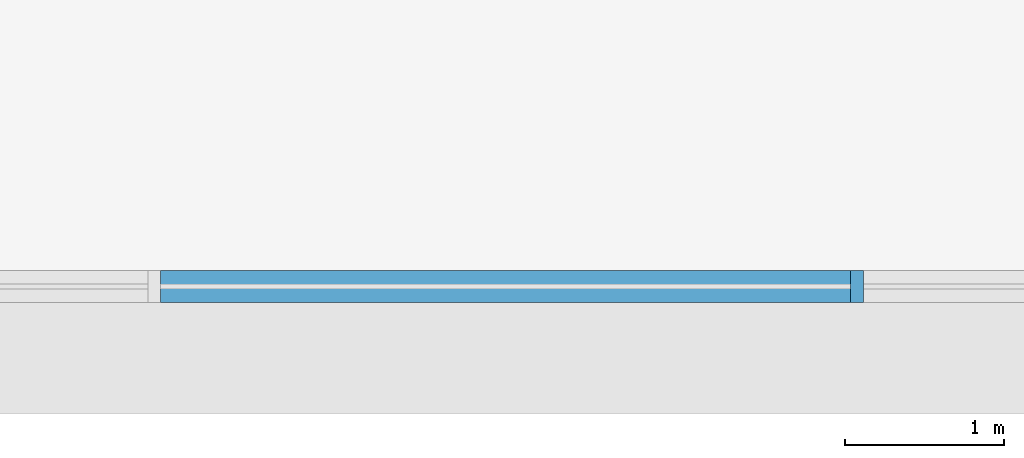
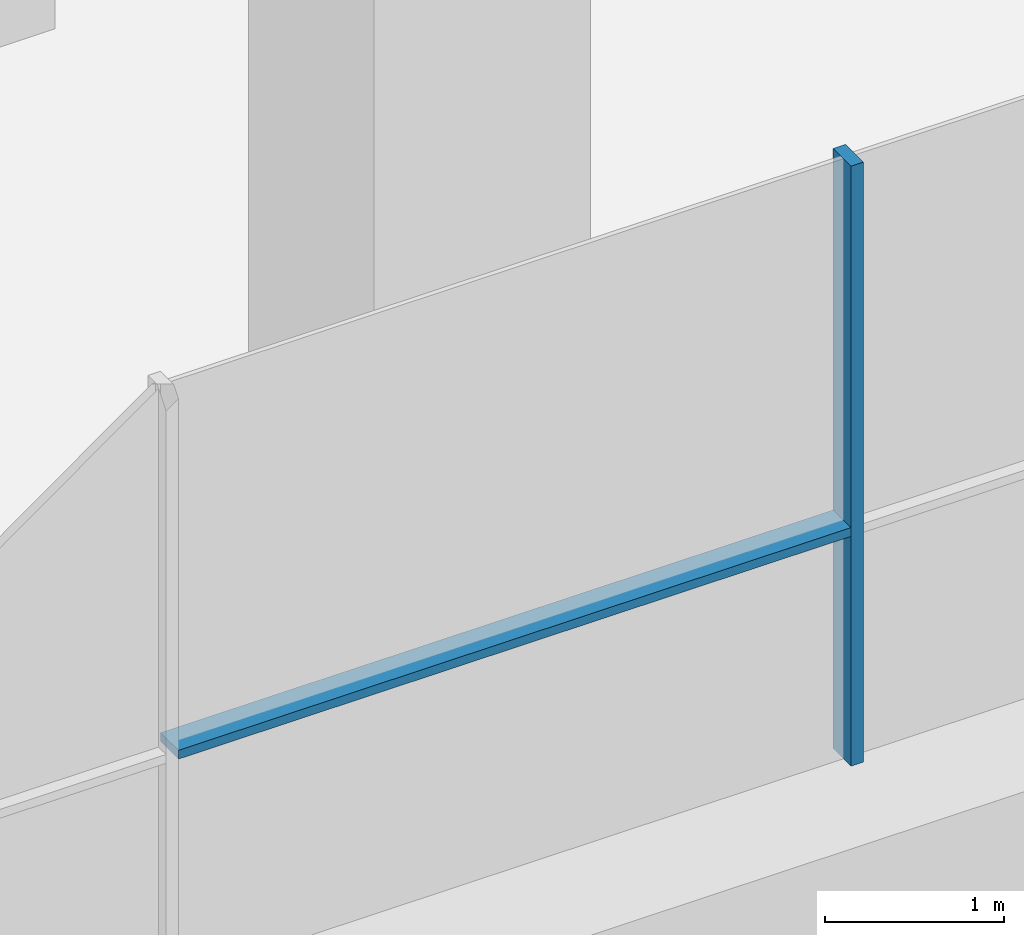
# One storey, part 8 of 52: 2 members, 1 element without a shape of its own.
"""IFC4 building model written with IfcOpenShell, lengths in metres."""

import ifcopenshell
import ifcopenshell.guid

model = None  # the IFC model being written
_history = None  # IfcOwnerHistory: only IFC2X3 demands one
_inside = {}  # id of a spatial element -> (the spatial element, [elements in it])
_under = {}  # id of a project, library or spatial element -> (it, [spatial elements below it])
_declared = {}  # id of a project -> (the project, [libraries it declares])
_typed = {}  # id of a type object -> (the type object, [elements of that type])
_made_of = {}  # id of a material, layer set ... -> (it, [elements and type objects made of it])


def new_model(schema):
    """Start an empty IFC model of exactly this schema.

    Asked for "IFC4X3", IfcOpenShell would pick the latest addendum, in which some entities
    have other attributes; the version numbers below select the first issue.
    IFC2X3 requires an IfcOwnerHistory on every rooted entity: one is made here for all.
    """
    global model, _history
    if schema == "IFC4X3":
        model = ifcopenshell.file(schema_version=(4, 3, 0, 0))
    else:
        model = ifcopenshell.file(schema=schema)
    _inside.clear()
    _under.clear()
    _declared.clear()
    _typed.clear()
    _made_of.clear()
    _history = None
    if model.schema == "IFC2X3":
        org = make("IfcOrganization", Name="unknown")
        user = make(
            "IfcPersonAndOrganization",
            ThePerson=make("IfcPerson", FamilyName="unknown"),
            TheOrganization=org,
        )
        app = make(
            "IfcApplication",
            ApplicationDeveloper=org,
            Version="unknown",
            ApplicationFullName="unknown",
            ApplicationIdentifier="unknown",
        )
        _history = make(
            "IfcOwnerHistory",
            OwningUser=user,
            OwningApplication=app,
            ChangeAction="ADDED",
            CreationDate=0,
        )
    return model


def make(cls, **values):
    """One entity of the class cls with the attributes given. An attribute that is None is left unset."""
    return model.create_entity(
        cls, **{name: value for name, value in values.items() if value is not None}
    )


def rooted(cls, **values):
    """An entity with a GlobalId (a new one), such as an element, a storey or a relation."""
    return make(cls, GlobalId=ifcopenshell.guid.new(), OwnerHistory=_history, **values)


def si_unit(unit_type, name, prefix=None):
    """IfcSIUnit, for example si_unit("LENGTHUNIT", "METRE", prefix="MILLI")."""
    return make("IfcSIUnit", UnitType=unit_type, Prefix=prefix, Name=name)


def assignment(units):
    """IfcUnitAssignment: the units of a project."""
    return None if units is None else make("IfcUnitAssignment", Units=units)


def point(xyz):
    """IfcCartesianPoint."""
    return None if xyz is None else make("IfcCartesianPoint", Coordinates=xyz)


def direction(xyz):
    """IfcDirection."""
    return None if xyz is None else make("IfcDirection", DirectionRatios=xyz)


def frame(location, z_axis=None, x_axis=None):
    """IfcAxis2Placement3D, a coordinate frame: its origin and axes. An axis left out is left unset."""
    return make(
        "IfcAxis2Placement3D",
        Location=point(location),
        Axis=direction(z_axis),
        RefDirection=direction(x_axis),
    )


def frame_2d(location, x_axis=None):
    """IfcAxis2Placement2D, a coordinate frame in the plane: its origin and x axis."""
    return make(
        "IfcAxis2Placement2D", Location=point(location), RefDirection=direction(x_axis)
    )


def origin():
    """The frame at (0, 0, 0) with its axes left unset."""
    return frame((0.0, 0.0, 0.0))


def origin_2d():
    """The frame at (0, 0) in the plane with its x axis left unset."""
    return frame_2d((0.0, 0.0))


def place(relative_to, where):
    """IfcLocalPlacement: puts the frame where relative to a parent placement (None: the world)."""
    return make(
        "IfcLocalPlacement", PlacementRelTo=relative_to, RelativePlacement=where
    )


def context(
    kind, dimensions, precision=None, world=None, true_north=None, identifier=None
):
    """IfcGeometricRepresentationContext, for example the 3D "Model" context."""
    return make(
        "IfcGeometricRepresentationContext",
        ContextIdentifier=identifier,
        ContextType=kind,
        CoordinateSpaceDimension=dimensions,
        Precision=precision,
        WorldCoordinateSystem=world,
        TrueNorth=true_north,
    )


def subcontext(parent, identifier, kind, view, scale=None):
    """IfcGeometricRepresentationSubContext, for example "Body" below "Model"."""
    return make(
        "IfcGeometricRepresentationSubContext",
        ContextIdentifier=identifier,
        ContextType=kind,
        ParentContext=parent,
        TargetScale=scale,
        TargetView=view,
    )


def project(units=None, contexts=None):
    """IfcProject with its units and contexts."""
    return rooted(
        "IfcProject",
        Name="project",
        RepresentationContexts=contexts,
        UnitsInContext=assignment(units),
    )


def spatial(cls, under=None, at=None, **own):
    """A site, building, storey or space (cls), placed at a placement, below another one or the project."""
    s = rooted(cls, ObjectPlacement=at, **own)
    if under is not None:
        _under.setdefault(under.id(), (under, []))[1].append(s)
    return s


def polyline(points):
    """IfcPolyline through the points."""
    return make("IfcPolyline", Points=[point(p) for p in points])


def profile(cls, at=None, kind="AREA", **sizes):
    """A parametric profile (cls). Its sizes go by their IFC names, for example OverallWidth=200.0."""
    return make(cls, ProfileType=kind, Position=at, **sizes)


def rectangle(**sizes):
    """IfcRectangleProfileDef."""
    return profile("IfcRectangleProfileDef", **sizes)


def outline(outer, holes=None, kind="AREA"):
    """IfcArbitraryClosedProfileDef: a profile drawn as a closed curve; with holes, ...WithVoids."""
    if holes is None:
        return make("IfcArbitraryClosedProfileDef", ProfileType=kind, OuterCurve=outer)
    return make(
        "IfcArbitraryProfileDefWithVoids",
        ProfileType=kind,
        OuterCurve=outer,
        InnerCurves=holes,
    )


def extrude(swept, where, along, depth):
    """IfcExtrudedAreaSolid: the profile swept, set in the frame where, extruded along a direction by depth."""
    return make(
        "IfcExtrudedAreaSolid",
        SweptArea=swept,
        Position=where,
        ExtrudedDirection=direction(along),
        Depth=depth,
    )


def shape(context_of_items, identifier, shape_type, items):
    """IfcShapeRepresentation: the items that make up one representation, for example the "Body"."""
    return make(
        "IfcShapeRepresentation",
        ContextOfItems=context_of_items,
        RepresentationIdentifier=identifier,
        RepresentationType=shape_type,
        Items=items,
    )


def material(Name=None, Category=None):
    """IfcMaterial."""
    return make("IfcMaterial", Name=Name, Category=Category)


def layer(
    of_material, thickness, ventilated=None, Name=None, Category=None, Priority=None
):
    """IfcMaterialLayer: one layer of a wall or slab, of a material (None: an air gap)."""
    return make(
        "IfcMaterialLayer",
        Material=of_material,
        LayerThickness=thickness,
        IsVentilated=ventilated,
        Name=Name,
        Category=Category,
        Priority=Priority,
    )


def layer_set(layers, Name=None):
    """IfcMaterialLayerSet."""
    return make("IfcMaterialLayerSet", MaterialLayers=layers, LayerSetName=Name)


def material_profile(
    of_material, cross_section, Name=None, Category=None, Priority=None
):
    """IfcMaterialProfile: a cross section and its material."""
    return make(
        "IfcMaterialProfile",
        Name=Name,
        Material=of_material,
        Profile=cross_section,
        Priority=Priority,
        Category=Category,
    )


def profile_set(profiles, Name=None, composite=None):
    """IfcMaterialProfileSet."""
    return make(
        "IfcMaterialProfileSet",
        Name=Name,
        MaterialProfiles=profiles,
        CompositeProfile=composite,
    )


def made_of(thing, what):
    """Note that an element or type object is made of a material, layer set ...; save() writes the relation."""
    if what is not None:
        _made_of.setdefault(what.id(), (what, []))[1].append(thing)
    return thing


def type_object(cls, material=None, **own):
    """A type object (cls), such as IfcWallType, which elements share."""
    return made_of(rooted(cls, **own), material)


def element(
    cls,
    number,
    at=None,
    inside=None,
    cuts=None,
    type_object=None,
    material=None,
    context=None,
    identifier="Body",
    shape_type=None,
    held_by="IfcProductDefinitionShape",
    body=None,
    shapes=None,
    **own,
):
    """One element of the class cls, such as IfcWall. Its Tag is "e" and its number.

    at: its placement. inside: the storey or other place that contains it. cuts: it is an
    opening in that element (IfcRelVoidsElement). A single representation is given by context,
    identifier, shape_type and body (its items); several are given by shapes. held_by: the class
    of the entity that holds the representations. save() writes the other relations.
    """
    e = rooted(cls, Tag="e%d" % number, ObjectPlacement=at, **own)
    if body is not None:
        shapes = [shape(context, identifier, shape_type, body)]
    if shapes is not None:
        e.Representation = make(held_by, Representations=shapes)
    if inside is not None:
        _inside.setdefault(inside.id(), (inside, []))[1].append(e)
    if cuts is not None:
        rooted(
            "IfcRelVoidsElement", RelatingBuildingElement=cuts, RelatedOpeningElement=e
        )
    if type_object is not None:
        _typed.setdefault(type_object.id(), (type_object, []))[1].append(e)
    return made_of(e, material)


def aggregate(whole, parts):
    """IfcRelAggregates: a whole, such as a stair, and the parts it consists of."""
    return rooted("IfcRelAggregates", RelatingObject=whole, RelatedObjects=parts)


def save(model, path):
    """Write the relations noted so far, then the file.

    IfcRelAggregates (storeys below a building ...), IfcRelContainedInSpatialStructure (elements
    in a storey), IfcRelDefinesByType, IfcRelAssociatesMaterial and IfcRelDeclares: one each for
    every whole, place, type object, material and project.
    """
    for whole, parts in _under.values():
        aggregate(whole, parts)
    for where, things in _inside.values():
        rooted(
            "IfcRelContainedInSpatialStructure",
            RelatedElements=things,
            RelatingStructure=where,
        )
    for kind, things in _typed.values():
        rooted("IfcRelDefinesByType", RelatedObjects=things, RelatingType=kind)
    for what, things in _made_of.values():
        rooted("IfcRelAssociatesMaterial", RelatedObjects=things, RelatingMaterial=what)
    for by, libraries in _declared.values():
        rooted("IfcRelDeclares", RelatingContext=by, RelatedDefinitions=libraries)
    model.write(path)


model = new_model("IFC4")

# Units and contexts
model_context = context("Model", 3, precision=1e-05, world=origin(), true_north=direction((0.0, 1.0)))
body_context = subcontext(model_context, "Body", "Model", "MODEL_VIEW")
ifc_project = project(units=[si_unit("LENGTHUNIT", "METRE"), si_unit("AREAUNIT", "SQUARE_METRE"), si_unit("VOLUMEUNIT", "CUBIC_METRE"), si_unit("PLANEANGLEUNIT", "RADIAN"), si_unit("MASSUNIT", "GRAM", prefix="KILO")], contexts=[model_context])

# Site, building, storey
site_placement = place(None, origin())
site = spatial("IfcSite", under=ifc_project, at=site_placement, CompositionType="ELEMENT")
building_placement = place(site_placement, origin())
building = spatial("IfcBuilding", under=site, at=building_placement, Name="Tamarind Cross Interchange Tower", CompositionType="ELEMENT")
storey_placement = place(building_placement, frame((0.0, 0.0, 9.0)))
storey = spatial("IfcBuildingStorey", under=building, at=storey_placement, Name="L01", CompositionType="ELEMENT", Elevation=9.0)

# Curtain wall, members
ifc_material = material(Name="Aluminium 6063-T6", Category="aluminium")
ifc_layer = layer(ifc_material, 0.199951171875)
ifc_layer_set = layer_set([ifc_layer], Name="Aluminium 6063-T6")
curtain_wall_type = type_object("IfcCurtainWallType", Name="Podium shopfront and station curtain wall", PredefinedType="NOTDEFINED", material=ifc_layer_set)
curtain_wall_placement = place(storey_placement, origin())
curtain_wall = element("IfcCurtainWall", 1, at=curtain_wall_placement, inside=storey, type_object=curtain_wall_type, Name="CWS-L01-06", PredefinedType="NOTDEFINED")
ifc_material_profile = material_profile(ifc_material, rectangle(XDim=0.080078125, YDim=0.199951171875, at=origin_2d()), Name="Mullion CW3")
ifc_profile_set = profile_set([ifc_material_profile], Name="Aluminium 6063-T6")
member_type_1 = type_object("IfcMemberType", Name="Mullion CW3", PredefinedType="MULLION", material=ifc_profile_set)
member_1_placement = place(storey_placement, frame((0.0, -58.800048828125, 1.39990234375), z_axis=(0.0, 0.0, 1.0), x_axis=(1.0, 0.0, 0.0)))
member_1 = element("IfcMember", 2, at=member_1_placement, type_object=member_type_1, Name="CWM-L01-06-14", PredefinedType="MULLION", context=body_context, shape_type="SweptSolid", body=[
    extrude(rectangle(XDim=0.080078125, YDim=0.199951171875, at=origin_2d()), origin(), (0.0, 0.0, 1.0), 4.10009765625),
])
member_type_2 = type_object("IfcMemberType", Name="Podium intermediate transom", PredefinedType="USERDEFINED", material=ifc_material)
member_2_placement = place(storey_placement, frame((0.0, 0.0, 2.969970703125)))
member_2 = element("IfcMember", 3, at=member_2_placement, type_object=member_type_2, Name="CWT-L01-06-I0-13", ObjectType="TRANSOM", PredefinedType="USERDEFINED", context=body_context, shape_type="SweptSolid", body=[
    extrude(outline(polyline([(-4.387451171875, -58.699951171875), (-0.0400390625, -58.699951171875), (-0.0400390625, -58.89990234375), (-4.387451171875, -58.89990234375), (-4.387451171875, -58.699951171875)])), origin(), (0.0, 0.0, 1.0), 0.06005859375),
])
aggregate(curtain_wall, [member_1, member_2])

save(model, "model.ifc")
